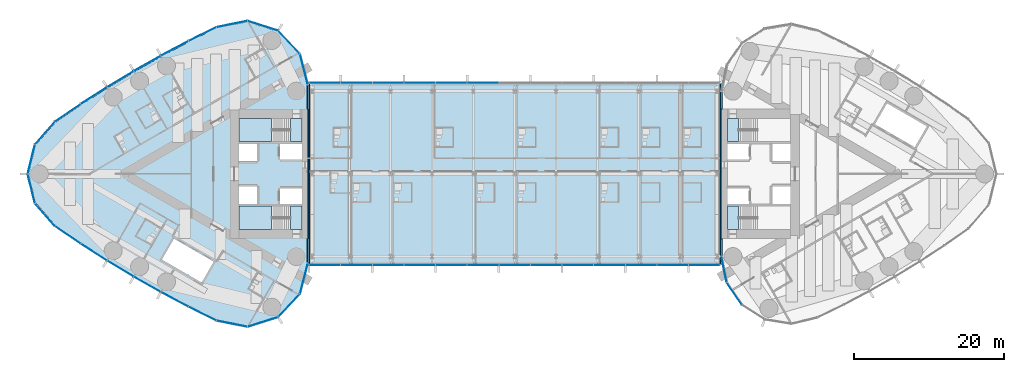
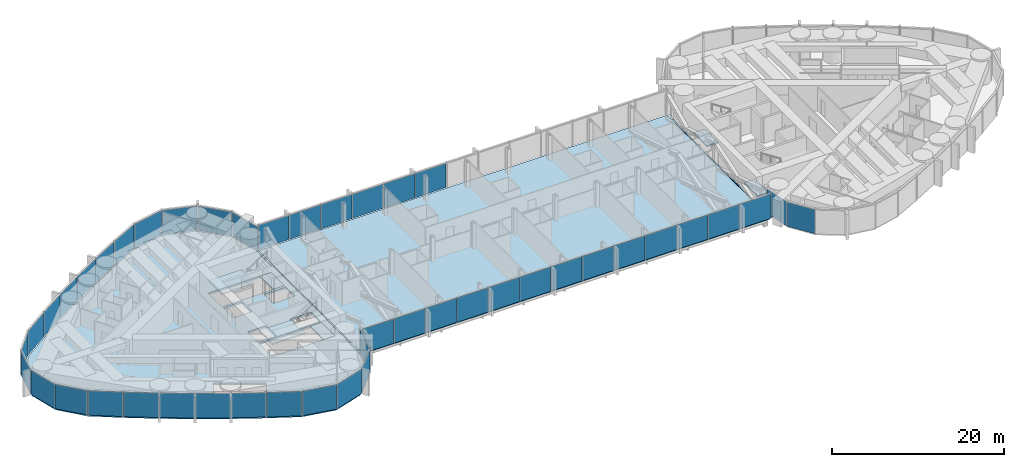
# One storey, part 13 of 23: 47 plates, 8 slabs, 8 elements without a shape of their own.
"""IFC4 building model written with IfcOpenShell, lengths in metres."""

from ifc_helpers import new_model, si_unit, direction, frame, origin, origin_2d, place, context, subcontext, project, spatial, polyline, rectangle, outline, extrude, material, layer, layer_set, type_object, element, aggregate, save


model = new_model("IFC4")

# Units and contexts
model_context = context("Model", 3, precision=1e-05, world=origin(), true_north=direction((0.0, 1.0)))
body_context = subcontext(model_context, "Body", "Model", "MODEL_VIEW")
ifc_project = project(units=[si_unit("LENGTHUNIT", "METRE"), si_unit("AREAUNIT", "SQUARE_METRE"), si_unit("VOLUMEUNIT", "CUBIC_METRE"), si_unit("PLANEANGLEUNIT", "RADIAN"), si_unit("MASSUNIT", "GRAM", prefix="KILO")], contexts=[model_context])

# Site, building, storey
site_placement = place(None, origin())
site = spatial("IfcSite", under=ifc_project, at=site_placement, CompositionType="ELEMENT")
building_placement = place(site_placement, origin())
building = spatial("IfcBuilding", under=site, at=building_placement, Name="Lancet Gate Hotel", CompositionType="ELEMENT")
storey_placement = place(building_placement, frame((0.0, 0.0, 240.5)))
storey = spatial("IfcBuildingStorey", under=building, at=storey_placement, Name="L64", CompositionType="ELEMENT", Elevation=240.5)

# Curtain wall, plates
ifc_material_1 = material(Name="Aluminium curtain wall", Category="aluminium")
curtain_wall_type_1 = type_object("IfcCurtainWallType", Name="Bridge block curtain wall", PredefinedType="USERDEFINED", material=ifc_material_1)
curtain_wall_1_placement = place(storey_placement, origin())
curtain_wall_1 = element("IfcCurtainWall", 1, at=curtain_wall_1_placement, inside=storey, type_object=curtain_wall_type_1, Name="Bridge block L64 curtain wall S", ObjectType="UNITISED CURTAIN WALL", PredefinedType="USERDEFINED")
ifc_material_2 = material(Name="Glass double glazed unit 8-16-6", Category="glass")
ifc_layer_1 = layer(ifc_material_2, 0.030029296875)
ifc_layer_set_1 = layer_set([ifc_layer_1], Name="Block vision panel")
plate_type_1 = type_object("IfcPlateType", Name="Block vision panel", PredefinedType="CURTAIN_PANEL", material=ifc_layer_set_1)
plate_1_placement = place(storey_placement, frame((-25.24609375, -12.1201171875, 0.0), z_axis=(0.0, 0.0, 1.0), x_axis=(1.0, 0.0, 0.0)))
plate_1 = element("IfcPlate", 2, at=plate_1_placement, type_object=plate_type_1, Name="Bridge block L64 curtain wall S panel 1", PredefinedType="CURTAIN_PANEL", context=body_context, shape_type="SweptSolid", body=[
    extrude(rectangle(XDim=4.142578125, YDim=0.030029296875, at=origin_2d()), origin(), (0.0, 0.0, 1.0), 3.449951171875),
])
plate_2_placement = place(storey_placement, frame((-21.03857421875, -12.1201171875, 0.0), z_axis=(0.0, 0.0, 1.0), x_axis=(1.0, 0.0, 0.0)))
plate_2 = element("IfcPlate", 3, at=plate_2_placement, type_object=plate_type_1, Name="Bridge block L64 curtain wall S panel 2", PredefinedType="CURTAIN_PANEL", context=body_context, shape_type="SweptSolid", body=[
    extrude(rectangle(XDim=4.142578125, YDim=0.030029296875, at=origin_2d()), origin(), (0.0, 0.0, 1.0), 3.449951171875),
])
plate_3_placement = place(storey_placement, frame((-16.830810546875, -12.1201171875, 0.0), z_axis=(0.0, 0.0, 1.0), x_axis=(1.0, 0.0, 0.0)))
plate_3 = element("IfcPlate", 4, at=plate_3_placement, type_object=plate_type_1, Name="Bridge block L64 curtain wall S panel 3", PredefinedType="CURTAIN_PANEL", context=body_context, shape_type="SweptSolid", body=[
    extrude(rectangle(XDim=4.142578125, YDim=0.030029296875, at=origin_2d()), origin(), (0.0, 0.0, 1.0), 3.449951171875),
])
plate_4_placement = place(storey_placement, frame((-12.623046875, -12.1201171875, 0.0), z_axis=(0.0, 0.0, 1.0), x_axis=(1.0, 0.0, 0.0)))
plate_4 = element("IfcPlate", 5, at=plate_4_placement, type_object=plate_type_1, Name="Bridge block L64 curtain wall S panel 4", PredefinedType="CURTAIN_PANEL", context=body_context, shape_type="SweptSolid", body=[
    extrude(rectangle(XDim=4.142578125, YDim=0.030029296875, at=origin_2d()), origin(), (0.0, 0.0, 1.0), 3.449951171875),
])
plate_5_placement = place(storey_placement, frame((-8.415283203125, -12.1201171875, 0.0), z_axis=(0.0, 0.0, 1.0), x_axis=(1.0, 0.0, 0.0)))
plate_5 = element("IfcPlate", 6, at=plate_5_placement, type_object=plate_type_1, Name="Bridge block L64 curtain wall S panel 5", PredefinedType="CURTAIN_PANEL", context=body_context, shape_type="SweptSolid", body=[
    extrude(rectangle(XDim=4.142578125, YDim=0.030029296875, at=origin_2d()), origin(), (0.0, 0.0, 1.0), 3.449951171875),
])
plate_6_placement = place(storey_placement, frame((-4.207763671875, -12.1201171875, 0.0), z_axis=(0.0, 0.0, 1.0), x_axis=(1.0, 0.0, 0.0)))
plate_6 = element("IfcPlate", 7, at=plate_6_placement, type_object=plate_type_1, Name="Bridge block L64 curtain wall S panel 6", PredefinedType="CURTAIN_PANEL", context=body_context, shape_type="SweptSolid", body=[
    extrude(rectangle(XDim=4.142578125, YDim=0.030029296875, at=origin_2d()), origin(), (0.0, 0.0, 1.0), 3.449951171875),
])
plate_7_placement = place(storey_placement, frame((0.0, -12.1201171875, 0.0), z_axis=(0.0, 0.0, 1.0), x_axis=(1.0, 0.0, 0.0)))
plate_7 = element("IfcPlate", 8, at=plate_7_placement, type_object=plate_type_1, Name="Bridge block L64 curtain wall S panel 7", PredefinedType="CURTAIN_PANEL", context=body_context, shape_type="SweptSolid", body=[
    extrude(rectangle(XDim=4.142578125, YDim=0.030029296875, at=origin_2d()), origin(), (0.0, 0.0, 1.0), 3.449951171875),
])
plate_8_placement = place(storey_placement, frame((4.207763671875, -12.1201171875, 0.0), z_axis=(0.0, 0.0, 1.0), x_axis=(1.0, 0.0, 0.0)))
plate_8 = element("IfcPlate", 9, at=plate_8_placement, type_object=plate_type_1, Name="Bridge block L64 curtain wall S panel 8", PredefinedType="CURTAIN_PANEL", context=body_context, shape_type="SweptSolid", body=[
    extrude(rectangle(XDim=4.142578125, YDim=0.030029296875, at=origin_2d()), origin(), (0.0, 0.0, 1.0), 3.449951171875),
])
plate_9_placement = place(storey_placement, frame((8.415283203125, -12.1201171875, 0.0), z_axis=(0.0, 0.0, 1.0), x_axis=(1.0, 0.0, 0.0)))
plate_9 = element("IfcPlate", 10, at=plate_9_placement, type_object=plate_type_1, Name="Bridge block L64 curtain wall S panel 9", PredefinedType="CURTAIN_PANEL", context=body_context, shape_type="SweptSolid", body=[
    extrude(rectangle(XDim=4.142578125, YDim=0.030029296875, at=origin_2d()), origin(), (0.0, 0.0, 1.0), 3.449951171875),
])
plate_10_placement = place(storey_placement, frame((12.623046875, -12.1201171875, 0.0), z_axis=(0.0, 0.0, 1.0), x_axis=(1.0, 0.0, 0.0)))
plate_10 = element("IfcPlate", 11, at=plate_10_placement, type_object=plate_type_1, Name="Bridge block L64 curtain wall S panel 10", PredefinedType="CURTAIN_PANEL", context=body_context, shape_type="SweptSolid", body=[
    extrude(rectangle(XDim=4.142578125, YDim=0.030029296875, at=origin_2d()), origin(), (0.0, 0.0, 1.0), 3.449951171875),
])
plate_11_placement = place(storey_placement, frame((16.830810546875, -12.1201171875, 0.0), z_axis=(0.0, 0.0, 1.0), x_axis=(1.0, 0.0, 0.0)))
plate_11 = element("IfcPlate", 12, at=plate_11_placement, type_object=plate_type_1, Name="Bridge block L64 curtain wall S panel 11", PredefinedType="CURTAIN_PANEL", context=body_context, shape_type="SweptSolid", body=[
    extrude(rectangle(XDim=4.142578125, YDim=0.030029296875, at=origin_2d()), origin(), (0.0, 0.0, 1.0), 3.449951171875),
])
plate_12_placement = place(storey_placement, frame((21.03857421875, -12.1201171875, 0.0), z_axis=(0.0, 0.0, 1.0), x_axis=(1.0, 0.0, 0.0)))
plate_12 = element("IfcPlate", 13, at=plate_12_placement, type_object=plate_type_1, Name="Bridge block L64 curtain wall S panel 12", PredefinedType="CURTAIN_PANEL", context=body_context, shape_type="SweptSolid", body=[
    extrude(rectangle(XDim=4.142578125, YDim=0.030029296875, at=origin_2d()), origin(), (0.0, 0.0, 1.0), 3.449951171875),
])
plate_13_placement = place(storey_placement, frame((25.24609375, -12.1201171875, 0.0), z_axis=(0.0, 0.0, 1.0), x_axis=(1.0, 0.0, 0.0)))
plate_13 = element("IfcPlate", 14, at=plate_13_placement, type_object=plate_type_1, Name="Bridge block L64 curtain wall S panel 13", PredefinedType="CURTAIN_PANEL", context=body_context, shape_type="SweptSolid", body=[
    extrude(rectangle(XDim=4.142578125, YDim=0.030029296875, at=origin_2d()), origin(), (0.0, 0.0, 1.0), 3.449951171875),
])
aggregate(curtain_wall_1, [plate_1, plate_2, plate_3, plate_4, plate_5, plate_6, plate_7, plate_8, plate_9, plate_10, plate_11, plate_12, plate_13])

curtain_wall_2_placement = place(storey_placement, origin())
curtain_wall_2 = element("IfcCurtainWall", 15, at=curtain_wall_2_placement, inside=storey, type_object=curtain_wall_type_1, Name="Bridge block L64 curtain wall N", ObjectType="UNITISED CURTAIN WALL", PredefinedType="USERDEFINED")
plate_14_placement = place(storey_placement, frame((-4.207763671875, 12.1201171875, 0.0), z_axis=(0.0, 0.0, 1.0), x_axis=(-1.0, 0.0, 0.0)))
plate_14 = element("IfcPlate", 16, at=plate_14_placement, type_object=plate_type_1, Name="Bridge block L64 curtain wall N panel 8", PredefinedType="CURTAIN_PANEL", context=body_context, shape_type="SweptSolid", body=[
    extrude(rectangle(XDim=4.142578125, YDim=0.030029296875, at=origin_2d()), origin(), (0.0, 0.0, 1.0), 3.449951171875),
])
plate_15_placement = place(storey_placement, frame((-8.415283203125, 12.1201171875, 0.0), z_axis=(0.0, 0.0, 1.0), x_axis=(-1.0, 0.0, 0.0)))
plate_15 = element("IfcPlate", 17, at=plate_15_placement, type_object=plate_type_1, Name="Bridge block L64 curtain wall N panel 9", PredefinedType="CURTAIN_PANEL", context=body_context, shape_type="SweptSolid", body=[
    extrude(rectangle(XDim=4.142578125, YDim=0.030029296875, at=origin_2d()), origin(), (0.0, 0.0, 1.0), 3.449951171875),
])
plate_16_placement = place(storey_placement, frame((-12.623046875, 12.1201171875, 0.0), z_axis=(0.0, 0.0, 1.0), x_axis=(-1.0, 0.0, 0.0)))
plate_16 = element("IfcPlate", 18, at=plate_16_placement, type_object=plate_type_1, Name="Bridge block L64 curtain wall N panel 10", PredefinedType="CURTAIN_PANEL", context=body_context, shape_type="SweptSolid", body=[
    extrude(rectangle(XDim=4.142578125, YDim=0.030029296875, at=origin_2d()), origin(), (0.0, 0.0, 1.0), 3.449951171875),
])
plate_17_placement = place(storey_placement, frame((-16.830810546875, 12.1201171875, 0.0), z_axis=(0.0, 0.0, 1.0), x_axis=(-1.0, 0.0, 0.0)))
plate_17 = element("IfcPlate", 19, at=plate_17_placement, type_object=plate_type_1, Name="Bridge block L64 curtain wall N panel 11", PredefinedType="CURTAIN_PANEL", context=body_context, shape_type="SweptSolid", body=[
    extrude(rectangle(XDim=4.142578125, YDim=0.030029296875, at=origin_2d()), origin(), (0.0, 0.0, 1.0), 3.449951171875),
])
plate_18_placement = place(storey_placement, frame((-21.03857421875, 12.1201171875, 0.0), z_axis=(0.0, 0.0, 1.0), x_axis=(-1.0, 0.0, 0.0)))
plate_18 = element("IfcPlate", 20, at=plate_18_placement, type_object=plate_type_1, Name="Bridge block L64 curtain wall N panel 12", PredefinedType="CURTAIN_PANEL", context=body_context, shape_type="SweptSolid", body=[
    extrude(rectangle(XDim=4.142578125, YDim=0.030029296875, at=origin_2d()), origin(), (0.0, 0.0, 1.0), 3.449951171875),
])
plate_19_placement = place(storey_placement, frame((-25.24609375, 12.1201171875, 0.0), z_axis=(0.0, 0.0, 1.0), x_axis=(-1.0, 0.0, 0.0)))
plate_19 = element("IfcPlate", 21, at=plate_19_placement, type_object=plate_type_1, Name="Bridge block L64 curtain wall N panel 13", PredefinedType="CURTAIN_PANEL", context=body_context, shape_type="SweptSolid", body=[
    extrude(rectangle(XDim=4.142578125, YDim=0.030029296875, at=origin_2d()), origin(), (0.0, 0.0, 1.0), 3.449951171875),
])
aggregate(curtain_wall_2, [plate_14, plate_15, plate_16, plate_17, plate_18, plate_19])

# Slabs
ifc_material_3 = material(Name="Concrete C40/50", Category="concrete")
ifc_layer_2 = layer(ifc_material_3, 0.199951171875)
ifc_layer_set_2 = layer_set([ifc_layer_2], Name="Composite floor slab 200")
slab_type_1 = type_object("IfcSlabType", Name="Composite floor slab 200", PredefinedType="FLOOR", material=ifc_layer_set_2)
slab_1_placement = place(storey_placement, frame((0.0, 0.0, -0.199951171875)))
element("IfcSlab", 22, at=slab_1_placement, inside=storey, type_object=slab_type_1, Name="Bridge block L64 floor slab", PredefinedType="FLOOR", context=body_context, shape_type="SweptSolid", body=[
    extrude(outline(polyline([(27.35009765625, -12.0), (27.35009765625, 12.0), (-27.35009765625, 12.0), (-27.35009765625, -12.0), (27.35009765625, -12.0)])), origin(), (0.0, 0.0, 1.0), 0.199951171875),
])
ifc_material_4 = material(Name="Concrete C50/60", Category="concrete")
ifc_layer_3 = layer(ifc_material_4, 0.25)
ifc_layer_set_3 = layer_set([ifc_layer_3], Name="Floor slab 250")
slab_type_2 = type_object("IfcSlabType", Name="Floor slab 250", PredefinedType="FLOOR", material=ifc_layer_set_3)
slab_2_placement = place(storey_placement, frame((0.0, 0.0, -0.25)))
element("IfcSlab", 23, at=slab_2_placement, inside=storey, type_object=slab_type_2, Name="T1 L64 floor slab", PredefinedType="FLOOR", context=body_context, shape_type="SweptSolid", body=[
    extrude(outline(polyline([(-27.5, 8.60009765625), (-27.6201171875, 8.60009765625), (-27.6201171875, 11.84619140625), (-28.668701171875, 15.912353515625), (-31.542236328125, 18.95263671875), (-35.52783203125, 20.22412109375), (-39.645751953125, 19.40673828125), (-43.344482421875, 17.565673828125), (-47.005126953125, 15.618896484375), (-50.61181640625, 13.574462890625), (-54.162353515625, 11.43359375), (-57.654052734375, 9.197998046875), (-61.072998046875, 6.876708984375), (-63.71240234375, 3.871337890625), (-64.66064453125, 0.0), (-63.71240234375, -3.871337890625), (-61.072998046875, -6.876708984375), (-57.654052734375, -9.197998046875), (-54.162353515625, -11.43359375), (-50.61181640625, -13.574462890625), (-47.005126953125, -15.618896484375), (-43.344482421875, -17.565673828125), (-39.645751953125, -19.40673828125), (-35.52783203125, -20.22412109375), (-31.542236328125, -18.95263671875), (-28.668701171875, -15.912353515625), (-27.6201171875, -11.84619140625), (-27.6201171875, -8.60009765625), (-27.5, -8.60009765625), (-27.5, -8.199951171875), (-27.5, 8.199951171875), (-27.5, 8.60009765625)]), holes=[polyline([(-36.699951171875, 7.39990234375), (-36.699951171875, 4.300048828125), (-28.300048828125, 4.300048828125), (-28.300048828125, 7.39990234375), (-36.699951171875, 7.39990234375)]), polyline([(-28.300048828125, 4.0), (-31.199951171875, 4.0), (-31.199951171875, 1.89990234375), (-28.300048828125, 1.89990234375), (-28.300048828125, 4.0)]), polyline([(-34.25, 4.0), (-36.699951171875, 4.0), (-36.699951171875, 1.64990234375), (-34.25, 1.64990234375), (-34.25, 4.0)]), polyline([(-36.699951171875, -1.64990234375), (-36.699951171875, -4.0), (-34.25, -4.0), (-34.25, -1.64990234375), (-36.699951171875, -1.64990234375)]), polyline([(-28.300048828125, -1.89990234375), (-31.199951171875, -1.89990234375), (-31.199951171875, -4.0), (-28.300048828125, -4.0), (-28.300048828125, -1.89990234375)]), polyline([(-28.300048828125, -4.300048828125), (-36.699951171875, -4.300048828125), (-36.699951171875, -7.39990234375), (-28.300048828125, -7.39990234375), (-28.300048828125, -4.300048828125)]), polyline([(-45.319091796875, -8.631103515625), (-46.9189453125, -11.402099609375), (-41.635986328125, -14.451904296875), (-40.035888671875, -11.680908203125), (-45.319091796875, -8.631103515625)])]), origin(), (0.0, 0.0, 1.0), 0.25),
])

# Plates
ifc_material_5 = material(Name="Aluminium chequer plate", Category="aluminium")
ifc_layer_4 = layer(ifc_material_5, 0.014892578125)
ifc_layer_set_4 = layer_set([ifc_layer_4], Name="Movement joint cover plate 15")
plate_type_2 = type_object("IfcPlateType", Name="Movement joint cover plate 15", PredefinedType="SHEET", material=ifc_layer_set_4)
plate_20_placement = place(storey_placement, frame((0.0, 0.0, -0.014892578125)))
element("IfcPlate", 24, at=plate_20_placement, inside=storey, type_object=plate_type_2, Name="Movement joint cover plate T1 L64", PredefinedType="SHEET", context=body_context, shape_type="SweptSolid", body=[
    extrude(outline(polyline([(-27.35009765625, 12.0), (-27.65966796875, 12.0), (-27.6201171875, 11.84619140625), (-27.6201171875, 8.60009765625), (-27.5, 8.60009765625), (-27.5, 8.199951171875), (-27.5, -8.199951171875), (-27.5, -8.60009765625), (-27.6201171875, -8.60009765625), (-27.6201171875, -11.84619140625), (-27.65966796875, -12.0), (-27.35009765625, -12.0), (-27.35009765625, 12.0)])), origin(), (0.0, 0.0, 1.0), 0.014892578125),
])
plate_21_placement = place(storey_placement, frame((0.0, 0.0, -0.014892578125)))
element("IfcPlate", 25, at=plate_21_placement, inside=storey, type_object=plate_type_2, Name="Movement joint cover plate T2 L64", PredefinedType="SHEET", context=body_context, shape_type="SweptSolid", body=[
    extrude(outline(polyline([(27.35009765625, -12.0), (27.836669921875, -12.0), (27.6201171875, -10.93603515625), (27.6201171875, -8.60009765625), (27.5, -8.60009765625), (27.5, -8.199951171875), (27.5, 8.199951171875), (27.5, 8.60009765625), (27.6201171875, 8.60009765625), (27.6201171875, 10.93603515625), (27.836669921875, 12.0), (27.35009765625, 12.0), (27.35009765625, -12.0)])), origin(), (0.0, 0.0, 1.0), 0.014892578125),
])

# Stair, slabs
ifc_material_6 = material(Name="Exit stair 20 risers 1500")
stair_type = type_object("IfcStairType", Name="Exit stair 20 risers 1500", PredefinedType="HALF_TURN_STAIR", material=ifc_material_6)
stair_1_placement = place(storey_placement, origin())
stair_1 = element("IfcStair", 26, at=stair_1_placement, inside=storey, type_object=stair_type, Name="T1 stair 1 L64", PredefinedType="HALF_TURN_STAIR")
ifc_material_7 = material(Name="Concrete C40/50", Category="concrete")
ifc_layer_5 = layer(ifc_material_7, 0.199951171875)
ifc_layer_set_5 = layer_set([ifc_layer_5], Name="Stair landing 200")
slab_type_3 = type_object("IfcSlabType", Name="Stair landing 200", PredefinedType="LANDING", material=ifc_layer_set_5)
slab_3_placement = place(storey_placement, frame((0.0, 0.0, -0.199951171875)))
slab_3 = element("IfcSlab", 27, at=slab_3_placement, type_object=slab_type_3, Name="ST1 landing 1", PredefinedType="LANDING", context=body_context, shape_type="SweptSolid", body=[
    extrude(outline(polyline([(-28.300048828125, 7.39990234375), (-29.800048828125, 7.39990234375), (-29.800048828125, 4.300048828125), (-28.300048828125, 4.300048828125), (-28.300048828125, 7.39990234375)])), origin(), (0.0, 0.0, 1.0), 0.199951171875),
])
slab_4_placement = place(storey_placement, frame((0.0, 0.0, 1.60009765625)))
slab_4 = element("IfcSlab", 28, at=slab_4_placement, type_object=slab_type_3, Name="ST1 landing 2", PredefinedType="LANDING", context=body_context, shape_type="SweptSolid", body=[
    extrude(outline(polyline([(-32.320068359375, 7.39990234375), (-36.699951171875, 7.39990234375), (-36.699951171875, 4.300048828125), (-32.320068359375, 4.300048828125), (-32.320068359375, 7.39990234375)])), origin(), (0.0, 0.0, 1.0), 0.199951171875),
])
aggregate(stair_1, [slab_3, slab_4])

stair_2_placement = place(storey_placement, origin())
stair_2 = element("IfcStair", 29, at=stair_2_placement, inside=storey, type_object=stair_type, Name="T1 stair 2 L64", PredefinedType="HALF_TURN_STAIR")
slab_5_placement = place(storey_placement, frame((0.0, 0.0, -0.199951171875)))
slab_5 = element("IfcSlab", 30, at=slab_5_placement, type_object=slab_type_3, Name="ST2 landing 1", PredefinedType="LANDING", context=body_context, shape_type="SweptSolid", body=[
    extrude(outline(polyline([(-28.300048828125, -4.300048828125), (-29.800048828125, -4.300048828125), (-29.800048828125, -7.39990234375), (-28.300048828125, -7.39990234375), (-28.300048828125, -4.300048828125)])), origin(), (0.0, 0.0, 1.0), 0.199951171875),
])
slab_6_placement = place(storey_placement, frame((0.0, 0.0, 1.60009765625)))
slab_6 = element("IfcSlab", 31, at=slab_6_placement, type_object=slab_type_3, Name="ST2 landing 2", PredefinedType="LANDING", context=body_context, shape_type="SweptSolid", body=[
    extrude(outline(polyline([(-32.320068359375, -4.300048828125), (-36.699951171875, -4.300048828125), (-36.699951171875, -7.39990234375), (-32.320068359375, -7.39990234375), (-32.320068359375, -4.300048828125)])), origin(), (0.0, 0.0, 1.0), 0.199951171875),
])
aggregate(stair_2, [slab_5, slab_6])

# Stair, slab
stair_3_placement = place(storey_placement, origin())
stair_3 = element("IfcStair", 32, at=stair_3_placement, inside=storey, type_object=stair_type, Name="T2 stair 1 L64", PredefinedType="HALF_TURN_STAIR")
slab_7_placement = place(storey_placement, frame((0.0, 0.0, -0.199951171875)))
slab_7 = element("IfcSlab", 33, at=slab_7_placement, type_object=slab_type_3, Name="ST3 landing 1", PredefinedType="LANDING", context=body_context, shape_type="SweptSolid", body=[
    extrude(outline(polyline([(28.300048828125, -7.39990234375), (29.800048828125, -7.39990234375), (29.800048828125, -4.300048828125), (28.300048828125, -4.300048828125), (28.300048828125, -7.39990234375)])), origin(), (0.0, 0.0, 1.0), 0.199951171875),
])
aggregate(stair_3, [slab_7])

stair_4_placement = place(storey_placement, origin())
stair_4 = element("IfcStair", 34, at=stair_4_placement, inside=storey, type_object=stair_type, Name="T2 stair 2 L64", PredefinedType="HALF_TURN_STAIR")
slab_8_placement = place(storey_placement, frame((0.0, 0.0, -0.199951171875)))
slab_8 = element("IfcSlab", 35, at=slab_8_placement, type_object=slab_type_3, Name="ST4 landing 1", PredefinedType="LANDING", context=body_context, shape_type="SweptSolid", body=[
    extrude(outline(polyline([(28.300048828125, 4.300048828125), (29.800048828125, 4.300048828125), (29.800048828125, 7.39990234375), (28.300048828125, 7.39990234375), (28.300048828125, 4.300048828125)])), origin(), (0.0, 0.0, 1.0), 0.199951171875),
])
aggregate(stair_4, [slab_8])

# Curtain wall, plates
ifc_material_8 = material(Name="Aluminium curtain wall", Category="aluminium")
curtain_wall_type_2 = type_object("IfcCurtainWallType", Name="Tower unitised curtain wall", PredefinedType="USERDEFINED", material=ifc_material_8)
curtain_wall_3_placement = place(storey_placement, origin())
curtain_wall_3 = element("IfcCurtainWall", 36, at=curtain_wall_3_placement, inside=storey, type_object=curtain_wall_type_2, Name="T1 L64 curtain wall 1", ObjectType="UNITISED CURTAIN WALL", PredefinedType="USERDEFINED")
ifc_material_9 = material(Name="Glass double glazed unit 8-16-6", Category="glass")
ifc_layer_6 = layer(ifc_material_9, 0.030029296875)
ifc_layer_set_6 = layer_set([ifc_layer_6], Name="Vision panel double glazed")
plate_type_3 = type_object("IfcPlateType", Name="Vision panel double glazed", PredefinedType="CURTAIN_PANEL", material=ifc_layer_set_6)
plate_22_placement = place(storey_placement, frame((-28.030029296875, 13.9169921875, 0.0), z_axis=(0.0, 0.0, 1.0), x_axis=(-0.249725827997, 0.968316586056, 0.0)))
plate_22 = element("IfcPlate", 37, at=plate_22_placement, type_object=plate_type_3, Name="T1 L64 curtain wall 1 panel 1", PredefinedType="CURTAIN_PANEL", context=body_context, shape_type="SweptSolid", body=[
    extrude(rectangle(XDim=4.180419921875, YDim=0.030029296875, at=origin_2d()), origin(), (0.0, 0.0, 1.0), 3.449951171875),
])
plate_23_placement = place(storey_placement, frame((-30.018310546875, 17.514892578125, 0.0), z_axis=(0.0, 0.0, 1.0), x_axis=(-0.686882887577, 0.726768118972, 0.0)))
plate_23 = element("IfcPlate", 38, at=plate_23_placement, type_object=plate_type_3, Name="T1 L64 curtain wall 1 panel 2", PredefinedType="CURTAIN_PANEL", context=body_context, shape_type="SweptSolid", body=[
    extrude(rectangle(XDim=4.180419921875, YDim=0.030029296875, at=origin_2d()), origin(), (0.0, 0.0, 1.0), 3.449951171875),
])
plate_24_placement = place(storey_placement, frame((-33.49853515625, 19.702880859375, 0.0), z_axis=(0.0, 0.0, 1.0), x_axis=(-0.952695666833, 0.303925922549, 0.0)))
plate_24 = element("IfcPlate", 39, at=plate_24_placement, type_object=plate_type_3, Name="T1 L64 curtain wall 1 panel 3", PredefinedType="CURTAIN_PANEL", context=body_context, shape_type="SweptSolid", body=[
    extrude(rectangle(XDim=4.180419921875, YDim=0.030029296875, at=origin_2d()), origin(), (0.0, 0.0, 1.0), 3.449951171875),
])
plate_25_placement = place(storey_placement, frame((-37.602783203125, 19.9345703125, 0.0), z_axis=(0.0, 0.0, 1.0), x_axis=(-0.980856647866, -0.194731189942, 0.0)))
plate_25 = element("IfcPlate", 40, at=plate_25_placement, type_object=plate_type_3, Name="T1 L64 curtain wall 1 panel 4", PredefinedType="CURTAIN_PANEL", context=body_context, shape_type="SweptSolid", body=[
    extrude(rectangle(XDim=4.180419921875, YDim=0.030029296875, at=origin_2d()), origin(), (0.0, 0.0, 1.0), 3.449951171875),
])
plate_26_placement = place(storey_placement, frame((-41.5419921875, 18.5966796875, 0.0), z_axis=(0.0, 0.0, 1.0), x_axis=(-0.895234030262, -0.445596264639, 0.0)))
plate_26 = element("IfcPlate", 41, at=plate_26_placement, type_object=plate_type_3, Name="T1 L64 curtain wall 1 panel 5", PredefinedType="CURTAIN_PANEL", context=body_context, shape_type="SweptSolid", body=[
    extrude(rectangle(XDim=4.084228515625, YDim=0.030029296875, at=origin_2d()), origin(), (0.0, 0.0, 1.0), 3.449951171875),
])
plate_27_placement = place(storey_placement, frame((-45.23095703125, 16.6982421875, 0.0), z_axis=(0.0, 0.0, 1.0), x_axis=(-0.882915941615, -0.469531085277, 0.0)))
plate_27 = element("IfcPlate", 42, at=plate_27_placement, type_object=plate_type_3, Name="T1 L64 curtain wall 1 panel 6", PredefinedType="CURTAIN_PANEL", context=body_context, shape_type="SweptSolid", body=[
    extrude(rectangle(XDim=4.084228515625, YDim=0.030029296875, at=origin_2d()), origin(), (0.0, 0.0, 1.0), 3.449951171875),
])
plate_28_placement = place(storey_placement, frame((-48.86767578125, 14.701171875, 0.0), z_axis=(0.0, 0.0, 1.0), x_axis=(-0.869958082404, -0.493125678565, 0.0)))
plate_28 = element("IfcPlate", 43, at=plate_28_placement, type_object=plate_type_3, Name="T1 L64 curtain wall 1 panel 7", PredefinedType="CURTAIN_PANEL", context=body_context, shape_type="SweptSolid", body=[
    extrude(rectangle(XDim=4.084228515625, YDim=0.030029296875, at=origin_2d()), origin(), (0.0, 0.0, 1.0), 3.449951171875),
])
plate_29_placement = place(storey_placement, frame((-52.44921875, 12.606689453125, 0.0), z_axis=(0.0, 0.0, 1.0), x_axis=(-0.85636984205, -0.516362947574, 0.0)))
plate_29 = element("IfcPlate", 44, at=plate_29_placement, type_object=plate_type_3, Name="T1 L64 curtain wall 1 panel 8", PredefinedType="CURTAIN_PANEL", context=body_context, shape_type="SweptSolid", body=[
    extrude(rectangle(XDim=4.084228515625, YDim=0.030029296875, at=origin_2d()), origin(), (0.0, 0.0, 1.0), 3.449951171875),
])
plate_30_placement = place(storey_placement, frame((-55.972900390625, 10.416748046875, 0.0), z_axis=(0.0, 0.0, 1.0), x_axis=(-0.842161066725, -0.539226054352, 0.0)))
plate_30 = element("IfcPlate", 45, at=plate_30_placement, type_object=plate_type_3, Name="T1 L64 curtain wall 1 panel 9", PredefinedType="CURTAIN_PANEL", context=body_context, shape_type="SweptSolid", body=[
    extrude(rectangle(XDim=4.084228515625, YDim=0.030029296875, at=origin_2d()), origin(), (0.0, 0.0, 1.0), 3.449951171875),
])
plate_31_placement = place(storey_placement, frame((-59.4365234375, 8.1328125, 0.0), z_axis=(0.0, 0.0, 1.0), x_axis=(-0.827342052281, -0.561698432014, 0.0)))
plate_31 = element("IfcPlate", 46, at=plate_31_placement, type_object=plate_type_3, Name="T1 L64 curtain wall 1 panel 10", PredefinedType="CURTAIN_PANEL", context=body_context, shape_type="SweptSolid", body=[
    extrude(rectangle(XDim=4.084228515625, YDim=0.030029296875, at=origin_2d()), origin(), (0.0, 0.0, 1.0), 3.449951171875),
])
plate_32_placement = place(storey_placement, frame((-62.487548828125, 5.447998046875, 0.0), z_axis=(0.0, 0.0, 1.0), x_axis=(-0.659891635916, -0.751360784742, 0.0)))
plate_32 = element("IfcPlate", 47, at=plate_32_placement, type_object=plate_type_3, Name="T1 L64 curtain wall 1 panel 11", PredefinedType="CURTAIN_PANEL", context=body_context, shape_type="SweptSolid", body=[
    extrude(rectangle(XDim=3.979736328125, YDim=0.030029296875, at=origin_2d()), origin(), (0.0, 0.0, 1.0), 3.449951171875),
])
plate_33_placement = place(storey_placement, frame((-64.30322265625, 1.96435546875, 0.0), z_axis=(0.0, 0.0, 1.0), x_axis=(-0.237921018621, -0.971284504612, 0.0)))
plate_33 = element("IfcPlate", 48, at=plate_33_placement, type_object=plate_type_3, Name="T1 L64 curtain wall 1 panel 12", PredefinedType="CURTAIN_PANEL", context=body_context, shape_type="SweptSolid", body=[
    extrude(rectangle(XDim=3.979736328125, YDim=0.030029296875, at=origin_2d()), origin(), (0.0, 0.0, 1.0), 3.449951171875),
])
plate_34_placement = place(storey_placement, frame((-64.30322265625, -1.96435546875, 0.0), z_axis=(0.0, 0.0, 1.0), x_axis=(0.237921018621, -0.971284504612, 0.0)))
plate_34 = element("IfcPlate", 49, at=plate_34_placement, type_object=plate_type_3, Name="T1 L64 curtain wall 1 panel 13", PredefinedType="CURTAIN_PANEL", context=body_context, shape_type="SweptSolid", body=[
    extrude(rectangle(XDim=3.979736328125, YDim=0.030029296875, at=origin_2d()), origin(), (0.0, 0.0, 1.0), 3.449951171875),
])
plate_35_placement = place(storey_placement, frame((-62.487548828125, -5.447998046875, 0.0), z_axis=(0.0, 0.0, 1.0), x_axis=(0.659891635916, -0.751360784742, 0.0)))
plate_35 = element("IfcPlate", 50, at=plate_35_placement, type_object=plate_type_3, Name="T1 L64 curtain wall 1 panel 14", PredefinedType="CURTAIN_PANEL", context=body_context, shape_type="SweptSolid", body=[
    extrude(rectangle(XDim=3.979736328125, YDim=0.030029296875, at=origin_2d()), origin(), (0.0, 0.0, 1.0), 3.449951171875),
])
plate_36_placement = place(storey_placement, frame((-59.4365234375, -8.1328125, 0.0), z_axis=(0.0, 0.0, 1.0), x_axis=(0.827342052281, -0.561698432014, 0.0)))
plate_36 = element("IfcPlate", 51, at=plate_36_placement, type_object=plate_type_3, Name="T1 L64 curtain wall 1 panel 15", PredefinedType="CURTAIN_PANEL", context=body_context, shape_type="SweptSolid", body=[
    extrude(rectangle(XDim=4.084228515625, YDim=0.030029296875, at=origin_2d()), origin(), (0.0, 0.0, 1.0), 3.449951171875),
])
plate_37_placement = place(storey_placement, frame((-55.972900390625, -10.416748046875, 0.0), z_axis=(0.0, 0.0, 1.0), x_axis=(0.842161066725, -0.539226054352, 0.0)))
plate_37 = element("IfcPlate", 52, at=plate_37_placement, type_object=plate_type_3, Name="T1 L64 curtain wall 1 panel 16", PredefinedType="CURTAIN_PANEL", context=body_context, shape_type="SweptSolid", body=[
    extrude(rectangle(XDim=4.084228515625, YDim=0.030029296875, at=origin_2d()), origin(), (0.0, 0.0, 1.0), 3.449951171875),
])
plate_38_placement = place(storey_placement, frame((-52.44921875, -12.606689453125, 0.0), z_axis=(0.0, 0.0, 1.0), x_axis=(0.85636984205, -0.516362947574, 0.0)))
plate_38 = element("IfcPlate", 53, at=plate_38_placement, type_object=plate_type_3, Name="T1 L64 curtain wall 1 panel 17", PredefinedType="CURTAIN_PANEL", context=body_context, shape_type="SweptSolid", body=[
    extrude(rectangle(XDim=4.084228515625, YDim=0.030029296875, at=origin_2d()), origin(), (0.0, 0.0, 1.0), 3.449951171875),
])
plate_39_placement = place(storey_placement, frame((-48.86767578125, -14.701171875, 0.0), z_axis=(0.0, 0.0, 1.0), x_axis=(0.869958082404, -0.493125678565, 0.0)))
plate_39 = element("IfcPlate", 54, at=plate_39_placement, type_object=plate_type_3, Name="T1 L64 curtain wall 1 panel 18", PredefinedType="CURTAIN_PANEL", context=body_context, shape_type="SweptSolid", body=[
    extrude(rectangle(XDim=4.084228515625, YDim=0.030029296875, at=origin_2d()), origin(), (0.0, 0.0, 1.0), 3.449951171875),
])
plate_40_placement = place(storey_placement, frame((-45.23095703125, -16.6982421875, 0.0), z_axis=(0.0, 0.0, 1.0), x_axis=(0.882915941615, -0.469531085277, 0.0)))
plate_40 = element("IfcPlate", 55, at=plate_40_placement, type_object=plate_type_3, Name="T1 L64 curtain wall 1 panel 19", PredefinedType="CURTAIN_PANEL", context=body_context, shape_type="SweptSolid", body=[
    extrude(rectangle(XDim=4.084228515625, YDim=0.030029296875, at=origin_2d()), origin(), (0.0, 0.0, 1.0), 3.449951171875),
])
plate_41_placement = place(storey_placement, frame((-41.5419921875, -18.5966796875, 0.0), z_axis=(0.0, 0.0, 1.0), x_axis=(0.895234030262, -0.445596264639, 0.0)))
plate_41 = element("IfcPlate", 56, at=plate_41_placement, type_object=plate_type_3, Name="T1 L64 curtain wall 1 panel 20", PredefinedType="CURTAIN_PANEL", context=body_context, shape_type="SweptSolid", body=[
    extrude(rectangle(XDim=4.084228515625, YDim=0.030029296875, at=origin_2d()), origin(), (0.0, 0.0, 1.0), 3.449951171875),
])
plate_42_placement = place(storey_placement, frame((-37.602783203125, -19.9345703125, 0.0), z_axis=(0.0, 0.0, 1.0), x_axis=(0.980856647866, -0.194731189942, 0.0)))
plate_42 = element("IfcPlate", 57, at=plate_42_placement, type_object=plate_type_3, Name="T1 L64 curtain wall 1 panel 21", PredefinedType="CURTAIN_PANEL", context=body_context, shape_type="SweptSolid", body=[
    extrude(rectangle(XDim=4.180419921875, YDim=0.030029296875, at=origin_2d()), origin(), (0.0, 0.0, 1.0), 3.449951171875),
])
plate_43_placement = place(storey_placement, frame((-33.49853515625, -19.702880859375, 0.0), z_axis=(0.0, 0.0, 1.0), x_axis=(0.952695666833, 0.303925922549, 0.0)))
plate_43 = element("IfcPlate", 58, at=plate_43_placement, type_object=plate_type_3, Name="T1 L64 curtain wall 1 panel 22", PredefinedType="CURTAIN_PANEL", context=body_context, shape_type="SweptSolid", body=[
    extrude(rectangle(XDim=4.180419921875, YDim=0.030029296875, at=origin_2d()), origin(), (0.0, 0.0, 1.0), 3.449951171875),
])
plate_44_placement = place(storey_placement, frame((-30.018310546875, -17.514892578125, 0.0), z_axis=(0.0, 0.0, 1.0), x_axis=(0.686882887577, 0.726768118972, 0.0)))
plate_44 = element("IfcPlate", 59, at=plate_44_placement, type_object=plate_type_3, Name="T1 L64 curtain wall 1 panel 23", PredefinedType="CURTAIN_PANEL", context=body_context, shape_type="SweptSolid", body=[
    extrude(rectangle(XDim=4.180419921875, YDim=0.030029296875, at=origin_2d()), origin(), (0.0, 0.0, 1.0), 3.449951171875),
])
plate_45_placement = place(storey_placement, frame((-28.030029296875, -13.9169921875, 0.0), z_axis=(0.0, 0.0, 1.0), x_axis=(0.249725827997, 0.968316586056, 0.0)))
plate_45 = element("IfcPlate", 60, at=plate_45_placement, type_object=plate_type_3, Name="T1 L64 curtain wall 1 panel 24", PredefinedType="CURTAIN_PANEL", context=body_context, shape_type="SweptSolid", body=[
    extrude(rectangle(XDim=4.180419921875, YDim=0.030029296875, at=origin_2d()), origin(), (0.0, 0.0, 1.0), 3.449951171875),
])
aggregate(curtain_wall_3, [plate_22, plate_23, plate_24, plate_25, plate_26, plate_27, plate_28, plate_29, plate_30, plate_31, plate_32, plate_33, plate_34, plate_35, plate_36, plate_37, plate_38, plate_39, plate_40, plate_41, plate_42, plate_43, plate_44, plate_45])

curtain_wall_4_placement = place(storey_placement, origin())
curtain_wall_4 = element("IfcCurtainWall", 61, at=curtain_wall_4_placement, inside=storey, type_object=curtain_wall_type_2, Name="T2 L64 curtain wall 1", ObjectType="UNITISED CURTAIN WALL", PredefinedType="USERDEFINED")
plate_46_placement = place(storey_placement, frame((27.8583984375, -12.707763671875, 0.0), z_axis=(0.0, 0.0, 1.0), x_axis=(0.199533486841, -0.979891008036, 0.0)))
plate_46 = element("IfcPlate", 62, at=plate_46_placement, type_object=plate_type_3, Name="T2 L64 curtain wall 1 panel 1", PredefinedType="CURTAIN_PANEL", context=body_context, shape_type="SweptSolid", body=[
    extrude(rectangle(XDim=3.526611328125, YDim=0.030029296875, at=origin_2d()), origin(), (0.0, 0.0, 1.0), 3.449951171875),
])
plate_47_placement = place(storey_placement, frame((29.234619140625, -15.947021484375, 0.0), z_axis=(0.0, 0.0, 1.0), x_axis=(0.566823864908, -0.823839005007, 0.0)))
plate_47 = element("IfcPlate", 63, at=plate_47_placement, type_object=plate_type_3, Name="T2 L64 curtain wall 1 panel 2", PredefinedType="CURTAIN_PANEL", context=body_context, shape_type="SweptSolid", body=[
    extrude(rectangle(XDim=3.526611328125, YDim=0.030029296875, at=origin_2d()), origin(), (0.0, 0.0, 1.0), 3.449951171875),
])
aggregate(curtain_wall_4, [plate_46, plate_47])

save(model, "model.ifc")
